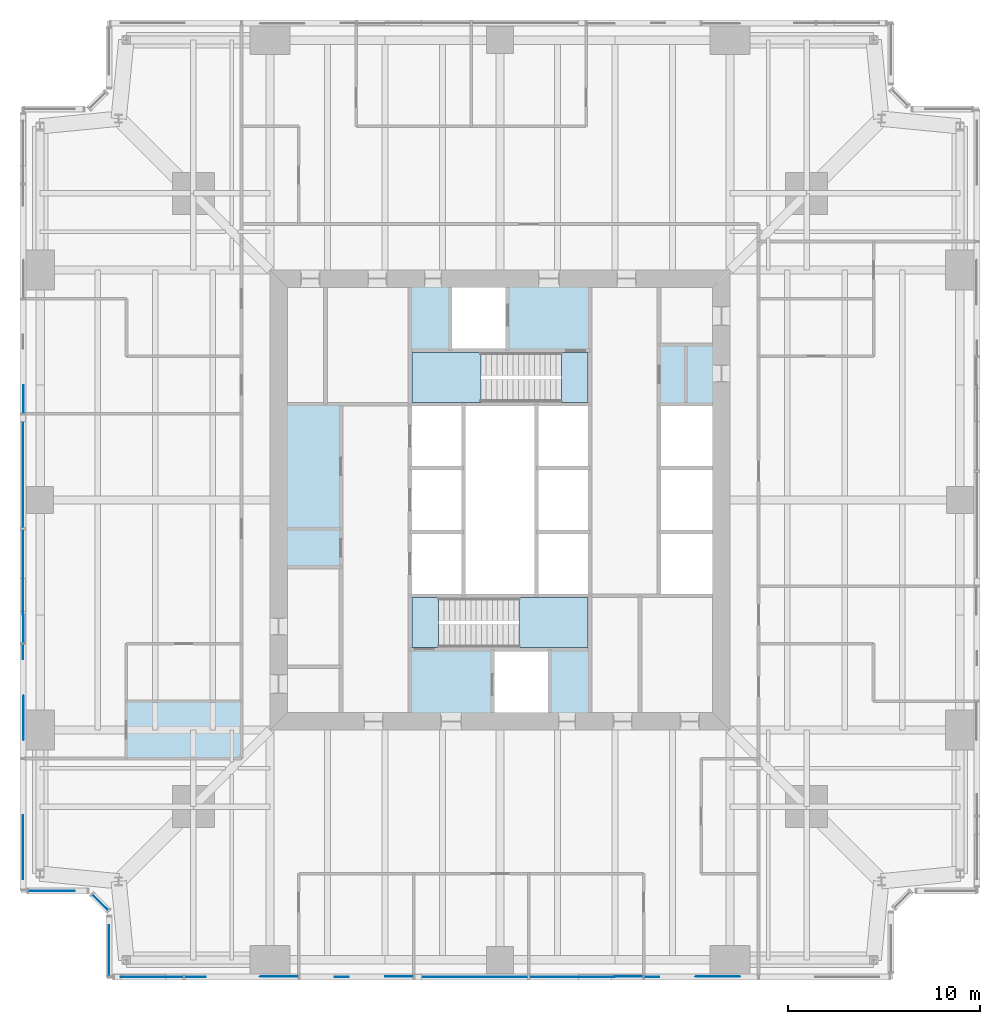
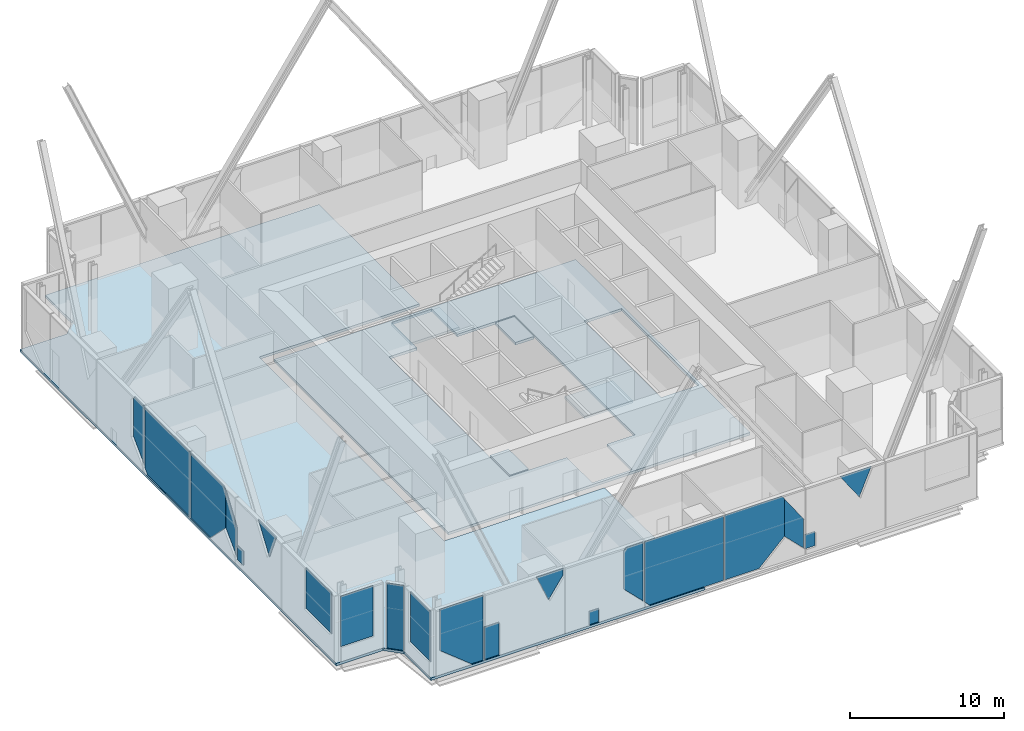
# One storey, part 6 of 13: 20 plates, 6 slabs, 7 elements without a shape of their own.
"""IFC4 building model written with IfcOpenShell, lengths in metres."""

from ifc_helpers import new_model, si_unit, direction, frame, origin, origin_2d, place, context, subcontext, project, spatial, polyline, rectangle, outline, extrude, material, layer, layer_set, type_object, element, aggregate, save


model = new_model("IFC4")

# Units and contexts
model_context = context("Model", 3, precision=1e-05, world=origin(), true_north=direction((0.0, 1.0)))
body_context = subcontext(model_context, "Body", "Model", "MODEL_VIEW")
ifc_project = project(units=[si_unit("LENGTHUNIT", "METRE"), si_unit("AREAUNIT", "SQUARE_METRE"), si_unit("VOLUMEUNIT", "CUBIC_METRE"), si_unit("PLANEANGLEUNIT", "RADIAN"), si_unit("MASSUNIT", "GRAM", prefix="KILO")], contexts=[model_context])

# Site, building, storey
site_placement = place(None, origin())
site = spatial("IfcSite", under=ifc_project, at=site_placement, CompositionType="ELEMENT")
building_placement = place(site_placement, origin())
building = spatial("IfcBuilding", under=site, at=building_placement, Name="Fenwick Lantern Interchange", CompositionType="ELEMENT")
storey_placement = place(building_placement, frame((0.0, 0.0, 97.0)))
storey = spatial("IfcBuildingStorey", under=building, at=storey_placement, Name="L22", CompositionType="ELEMENT", Elevation=97.0)

# Slabs
ifc_material_1 = material(Name="Concrete f'c 35 MPa", Category="concrete")
ifc_layer_1 = layer(ifc_material_1, 0.199951171875)
ifc_layer_set_1 = layer_set([ifc_layer_1], Name="CORE FLOOR SLAB 200")
slab_type_1 = type_object("IfcSlabType", Name="CORE FLOOR SLAB 200", PredefinedType="FLOOR", material=ifc_layer_set_1)
slab_1_placement = place(storey_placement, frame((0.0, 0.0, -0.199951171875)))
element("IfcSlab", 1, at=slab_1_placement, inside=storey, type_object=slab_type_1, Name="L22/SLAB/CORE", PredefinedType="FLOOR", context=body_context, shape_type="SweptSolid", body=[
    extrude(outline(polyline([(13.699951171875, 36.300048828125), (36.300048828125, 36.300048828125), (36.300048828125, 13.699951171875), (13.699951171875, 13.699951171875), (13.699951171875, 36.300048828125)]), holes=[polyline([(29.699951171875, 17.199951171875), (29.699951171875, 20.0), (29.699951171875, 23.333251953125), (29.699951171875, 26.666748046875), (29.699951171875, 30.0), (29.699951171875, 32.800048828125), (25.39990234375, 32.800048828125), (25.39990234375, 36.10009765625), (22.39990234375, 36.10009765625), (22.39990234375, 32.800048828125), (20.300048828125, 32.800048828125), (20.300048828125, 30.0), (20.300048828125, 26.666748046875), (20.300048828125, 23.333251953125), (20.300048828125, 20.0), (20.300048828125, 17.199951171875), (24.60009765625, 17.199951171875), (24.60009765625, 13.89990234375), (27.60009765625, 13.89990234375), (27.60009765625, 17.199951171875), (29.699951171875, 17.199951171875)]), polyline([(33.300048828125, 23.333251953125), (33.300048828125, 20.0), (36.10009765625, 20.0), (36.10009765625, 23.333251953125), (36.10009765625, 26.666748046875), (36.10009765625, 30.0), (33.300048828125, 30.0), (33.300048828125, 26.666748046875), (33.300048828125, 23.333251953125)])]), origin(), (0.0, 0.0, 1.0), 0.199951171875),
])
ifc_material_2 = material(Name="Concrete f'c 35 MPa", Category="concrete")
ifc_layer_2 = layer(ifc_material_2, 0.199951171875)
ifc_layer_set_2 = layer_set([ifc_layer_2], Name="Concrete f'c 35 MPa")
slab_type_2 = type_object("IfcSlabType", Name="FLOOR SLAB 200", PredefinedType="FLOOR", material=ifc_layer_set_2)
slab_2_placement = place(storey_placement, frame((0.0, 0.0, -0.199951171875)))
element("IfcSlab", 2, at=slab_2_placement, inside=storey, type_object=slab_type_2, Name="L22/SLAB/FW", PredefinedType="FLOOR", context=body_context, shape_type="SweptSolid", body=[
    extrude(outline(polyline([(4.5, 0.0), (4.5, 3.5), (3.5, 4.5), (0.0, 4.5), (0.0, 45.5), (3.5, 45.5), (4.5, 46.5), (4.5, 50.0), (25.0, 50.0), (25.0, 37.0), (13.0, 37.0), (13.0, 13.0), (25.0, 13.0), (25.0, 0.0), (4.5, 0.0)])), origin(), (0.0, 0.0, 1.0), 0.199951171875),
])

# Curtain wall, plates
ifc_material_3 = material(Name="Aluminium curtain wall frame", Category="aluminium")
curtain_wall_type = type_object("IfcCurtainWallType", Name="SKY LOBBY GLAZING", PredefinedType="USERDEFINED", material=ifc_material_3)
curtain_wall_1_placement = place(storey_placement, origin())
curtain_wall_1 = element("IfcCurtainWall", 3, at=curtain_wall_1_placement, inside=storey, type_object=curtain_wall_type, Name="Sky lobby glazing 01", ObjectType="SKY LOBBY GLAZING", PredefinedType="USERDEFINED")
ifc_material_4 = material(Name="Vision glass, clear laminated double glazed", Category="glass")
ifc_layer_3 = layer(ifc_material_4, 0.035888671875)
ifc_layer_set_3 = layer_set([ifc_layer_3], Name="SKY LOBBY GLAZING PANEL 36")
plate_type = type_object("IfcPlateType", Name="SKY LOBBY GLAZING PANEL 36", PredefinedType="CURTAIN_PANEL", material=ifc_layer_set_3)
plate_1_placement = place(storey_placement, frame((4.60009765625, 0.10009765625, 0.0), z_axis=(0.0, 0.0, 1.0), x_axis=(1.0, 0.0, 0.0)))
plate_1 = element("IfcPlate", 4, at=plate_1_placement, type_object=plate_type, Name="L22/CW/01/P00a", PredefinedType="CURTAIN_PANEL", context=body_context, shape_type="SweptSolid", body=[
    extrude(outline(polyline([(2.968994140625, 0.0), (3.860107421875, 0.0), (3.860107421875, 5.1298828125), (0.618896484375, 5.1298828125), (0.618896484375, 1.880126953125), (2.968994140625, 0.0)])), frame((0.0, 0.01806640625, 0.0), z_axis=(0.0, -1.0, 0.0), x_axis=(1.0, 0.0, 0.0)), (0.0, 0.0, 1.0), 0.035888671875),
])
plate_2_placement = place(storey_placement, frame((4.60009765625, 0.10009765625, 0.0), z_axis=(0.0, 0.0, 1.0), x_axis=(1.0, 0.0, 0.0)))
plate_2 = element("IfcPlate", 5, at=plate_2_placement, type_object=plate_type, Name="L22/CW/01/P01a", PredefinedType="CURTAIN_PANEL", context=body_context, shape_type="SweptSolid", body=[
    extrude(outline(polyline([(3.93994140625, 0.0), (5.0400390625, 0.0), (5.0400390625, 2.571533203125), (3.93994140625, 2.571533203125), (3.93994140625, 0.0)])), frame((0.0, 0.01806640625, 0.0), z_axis=(0.0, -1.0, 0.0), x_axis=(1.0, 0.0, 0.0)), (0.0, 0.0, 1.0), 0.035888671875),
])
plate_3_placement = place(storey_placement, frame((4.60009765625, 0.10009765625, 3.017822265625), z_axis=(0.0, 0.0, 1.0), x_axis=(1.0, 0.0, 0.0)))
plate_3 = element("IfcPlate", 6, at=plate_3_placement, type_object=plate_type, Name="L22/CW/01/P01b", PredefinedType="CURTAIN_PANEL", context=body_context, shape_type="SweptSolid", body=[
    extrude(outline(polyline([(8.765625, 0.0), (9.860107421875, 1.594970703125), (9.860107421875, 2.112060546875), (7.85986328125, 2.112060546875), (8.765625, 0.0)])), frame((0.0, 0.05615234375, 0.0), z_axis=(0.0, -1.0, 0.0), x_axis=(1.0, 0.0, 0.0)), (0.0, 0.0, 1.0), 0.035888671875),
])
plate_4_placement = place(storey_placement, frame((4.60009765625, 0.10009765625, 0.0), z_axis=(0.0, 0.0, 1.0), x_axis=(1.0, 0.0, 0.0)))
plate_4 = element("IfcPlate", 7, at=plate_4_placement, type_object=plate_type, Name="L22/CW/01/P02a", PredefinedType="CURTAIN_PANEL", context=body_context, shape_type="SweptSolid", body=[
    extrude(outline(polyline([(11.781005859375, 0.0), (12.5009765625, 0.0), (12.5009765625, 1.049560546875), (11.781005859375, 1.049560546875), (11.781005859375, 0.0)])), frame((0.0, 0.01806640625, 0.0), z_axis=(0.0, -1.0, 0.0), x_axis=(1.0, 0.0, 0.0)), (0.0, 0.0, 1.0), 0.035888671875),
])
plate_5_placement = place(storey_placement, frame((4.60009765625, 0.10009765625, 0.435546875), z_axis=(0.0, 0.0, 1.0), x_axis=(1.0, 0.0, 0.0)))
plate_5 = element("IfcPlate", 8, at=plate_5_placement, type_object=plate_type, Name="L22/CW/01/P02b", PredefinedType="CURTAIN_PANEL", context=body_context, shape_type="SweptSolid", body=[
    extrude(outline(polyline([(15.860107421875, 0.0), (15.860107421875, 4.6943359375), (14.58056640625, 4.6943359375), (14.39990234375, 4.43115234375), (14.39990234375, 1.4599609375), (15.860107421875, 0.0)])), frame((0.0, 0.05615234375, 0.0), z_axis=(0.0, -1.0, 0.0), x_axis=(1.0, 0.0, 0.0)), (0.0, 0.0, 1.0), 0.035888671875),
])
plate_6_placement = place(storey_placement, frame((4.60009765625, 0.10009765625, 0.0), z_axis=(0.0, 0.0, 1.0), x_axis=(1.0, 0.0, 0.0)))
plate_6 = element("IfcPlate", 9, at=plate_6_placement, type_object=plate_type, Name="L22/CW/01/P03a", PredefinedType="CURTAIN_PANEL", context=body_context, shape_type="SweptSolid", body=[
    extrude(outline(polyline([(16.295654296875, 0.0), (21.860107421875, 0.0), (21.860107421875, 5.1298828125), (15.93994140625, 5.1298828125), (15.93994140625, 0.35546875), (16.295654296875, 0.0)])), frame((0.0, 0.01806640625, 0.0), z_axis=(0.0, -1.0, 0.0), x_axis=(1.0, 0.0, 0.0)), (0.0, 0.0, 1.0), 0.035888671875),
])
plate_7_placement = place(storey_placement, frame((4.60009765625, 0.10009765625, 0.0), z_axis=(0.0, 0.0, 1.0), x_axis=(1.0, 0.0, 0.0)))
plate_7 = element("IfcPlate", 10, at=plate_7_placement, type_object=plate_type, Name="L22/CW/01/P04a", PredefinedType="CURTAIN_PANEL", context=body_context, shape_type="SweptSolid", body=[
    extrude(outline(polyline([(21.93994140625, 0.0), (24.50439453125, 0.0), (26.39990234375, 1.8955078125), (26.39990234375, 4.86669921875), (26.219482421875, 5.1298828125), (21.93994140625, 5.1298828125), (21.93994140625, 0.0)])), frame((0.0, 0.01806640625, 0.0), z_axis=(0.0, -1.0, 0.0), x_axis=(1.0, 0.0, 0.0)), (0.0, 0.0, 1.0), 0.035888671875),
])
plate_8_placement = place(storey_placement, frame((4.60009765625, 0.10009765625, 0.435546875), z_axis=(0.0, 0.0, 1.0), x_axis=(1.0, 0.0, 0.0)))
plate_8 = element("IfcPlate", 11, at=plate_8_placement, type_object=plate_type, Name="L22/CW/01/P04b", PredefinedType="CURTAIN_PANEL", context=body_context, shape_type="SweptSolid", body=[
    extrude(outline(polyline([(27.860107421875, 0.0), (27.860107421875, 2.30322265625), (26.39990234375, 4.43115234375), (26.39990234375, 1.4599609375), (27.860107421875, 0.0)])), frame((0.0, 0.05615234375, 0.0), z_axis=(0.0, -1.0, 0.0), x_axis=(1.0, 0.0, 0.0)), (0.0, 0.0, 1.0), 0.035888671875),
])
plate_9_placement = place(storey_placement, frame((4.60009765625, 0.10009765625, 0.35546875), z_axis=(0.0, 0.0, 1.0), x_axis=(1.0, 0.0, 0.0)))
plate_9 = element("IfcPlate", 12, at=plate_9_placement, type_object=plate_type, Name="L22/CW/01/P05a", PredefinedType="CURTAIN_PANEL", context=body_context, shape_type="SweptSolid", body=[
    extrude(outline(polyline([(27.93994140625, 0.0), (28.715087890625, 0.0), (28.715087890625, 1.136962890625), (27.93994140625, 1.136962890625), (27.93994140625, 0.0)])), frame((0.0, 0.01806640625, 0.0), z_axis=(0.0, -1.0, 0.0), x_axis=(1.0, 0.0, 0.0)), (0.0, 0.0, 1.0), 0.035888671875),
])
plate_10_placement = place(storey_placement, frame((4.60009765625, 0.10009765625, 3.017822265625), z_axis=(0.0, 0.0, 1.0), x_axis=(1.0, 0.0, 0.0)))
plate_10 = element("IfcPlate", 13, at=plate_10_placement, type_object=plate_type, Name="L22/CW/01/P05b", PredefinedType="CURTAIN_PANEL", context=body_context, shape_type="SweptSolid", body=[
    extrude(outline(polyline([(32.034423828125, 0.0), (32.940185546875, 2.112060546875), (30.585205078125, 2.112060546875), (32.034423828125, 0.0)])), frame((0.0, 0.05615234375, 0.0), z_axis=(0.0, -1.0, 0.0), x_axis=(1.0, 0.0, 0.0)), (0.0, 0.0, 1.0), 0.035888671875),
])
aggregate(curtain_wall_1, [plate_1, plate_2, plate_3, plate_4, plate_5, plate_6, plate_7, plate_8, plate_9, plate_10])

curtain_wall_2_placement = place(storey_placement, origin())
curtain_wall_2 = element("IfcCurtainWall", 14, at=curtain_wall_2_placement, inside=storey, type_object=curtain_wall_type, Name="Sky lobby glazing 13", ObjectType="SKY LOBBY GLAZING", PredefinedType="USERDEFINED")
plate_11_placement = place(storey_placement, frame((0.10009765625, 45.39990234375, 0.435546875), z_axis=(0.0, 0.0, 1.0), x_axis=(0.0, -1.0, 0.0)))
plate_11 = element("IfcPlate", 15, at=plate_11_placement, type_object=plate_type, Name="L22/CW/13/P02b", PredefinedType="CURTAIN_PANEL", context=body_context, shape_type="SweptSolid", body=[
    extrude(outline(polyline([(15.860107421875, 0.0), (15.860107421875, 4.6943359375), (14.58056640625, 4.6943359375), (14.39990234375, 4.43115234375), (14.39990234375, 1.4599609375), (15.860107421875, 0.0)])), frame((0.0, 0.05615234375, 0.0), z_axis=(0.0, -1.0, 0.0), x_axis=(1.0, 0.0, 0.0)), (0.0, 0.0, 1.0), 0.035888671875),
])
plate_12_placement = place(storey_placement, frame((0.10009765625, 45.39990234375, 0.0), z_axis=(0.0, 0.0, 1.0), x_axis=(0.0, -1.0, 0.0)))
plate_12 = element("IfcPlate", 16, at=plate_12_placement, type_object=plate_type, Name="L22/CW/13/P03a", PredefinedType="CURTAIN_PANEL", context=body_context, shape_type="SweptSolid", body=[
    extrude(outline(polyline([(16.295654296875, 0.0), (21.860107421875, 0.0), (21.860107421875, 5.1298828125), (15.93994140625, 5.1298828125), (15.93994140625, 0.35546875), (16.295654296875, 0.0)])), frame((0.0, 0.01806640625, 0.0), z_axis=(0.0, -1.0, 0.0), x_axis=(1.0, 0.0, 0.0)), (0.0, 0.0, 1.0), 0.035888671875),
])
plate_13_placement = place(storey_placement, frame((0.10009765625, 45.39990234375, 0.0), z_axis=(0.0, 0.0, 1.0), x_axis=(0.0, -1.0, 0.0)))
plate_13 = element("IfcPlate", 17, at=plate_13_placement, type_object=plate_type, Name="L22/CW/13/P04a", PredefinedType="CURTAIN_PANEL", context=body_context, shape_type="SweptSolid", body=[
    extrude(outline(polyline([(21.93994140625, 0.0), (24.50439453125, 0.0), (26.39990234375, 1.8955078125), (26.39990234375, 4.86669921875), (26.219482421875, 5.1298828125), (21.93994140625, 5.1298828125), (21.93994140625, 0.0)])), frame((0.0, 0.01806640625, 0.0), z_axis=(0.0, -1.0, 0.0), x_axis=(1.0, 0.0, 0.0)), (0.0, 0.0, 1.0), 0.035888671875),
])
plate_14_placement = place(storey_placement, frame((0.10009765625, 45.39990234375, 0.435546875), z_axis=(0.0, 0.0, 1.0), x_axis=(0.0, -1.0, 0.0)))
plate_14 = element("IfcPlate", 18, at=plate_14_placement, type_object=plate_type, Name="L22/CW/13/P04b", PredefinedType="CURTAIN_PANEL", context=body_context, shape_type="SweptSolid", body=[
    extrude(outline(polyline([(27.860107421875, 0.0), (27.860107421875, 2.30322265625), (26.39990234375, 4.43115234375), (26.39990234375, 1.4599609375), (27.860107421875, 0.0)])), frame((0.0, 0.05615234375, 0.0), z_axis=(0.0, -1.0, 0.0), x_axis=(1.0, 0.0, 0.0)), (0.0, 0.0, 1.0), 0.035888671875),
])
plate_15_placement = place(storey_placement, frame((0.10009765625, 45.39990234375, 0.35546875), z_axis=(0.0, 0.0, 1.0), x_axis=(0.0, -1.0, 0.0)))
plate_15 = element("IfcPlate", 19, at=plate_15_placement, type_object=plate_type, Name="L22/CW/13/P05a", PredefinedType="CURTAIN_PANEL", context=body_context, shape_type="SweptSolid", body=[
    extrude(outline(polyline([(27.93994140625, 0.0), (28.715087890625, 0.0), (28.715087890625, 1.136962890625), (27.93994140625, 1.136962890625), (27.93994140625, 0.0)])), frame((0.0, 0.01806640625, 0.0), z_axis=(0.0, -1.0, 0.0), x_axis=(1.0, 0.0, 0.0)), (0.0, 0.0, 1.0), 0.035888671875),
])
plate_16_placement = place(storey_placement, frame((0.10009765625, 45.39990234375, 3.017822265625), z_axis=(0.0, 0.0, 1.0), x_axis=(0.0, -1.0, 0.0)))
plate_16 = element("IfcPlate", 20, at=plate_16_placement, type_object=plate_type, Name="L22/CW/13/P05b", PredefinedType="CURTAIN_PANEL", context=body_context, shape_type="SweptSolid", body=[
    extrude(outline(polyline([(32.034423828125, 0.0), (32.940185546875, 2.112060546875), (30.585205078125, 2.112060546875), (32.034423828125, 0.0)])), frame((0.0, 0.05615234375, 0.0), z_axis=(0.0, -1.0, 0.0), x_axis=(1.0, 0.0, 0.0)), (0.0, 0.0, 1.0), 0.035888671875),
])
plate_17_placement = place(storey_placement, frame((0.10009765625, 45.39990234375, 1.880126953125), z_axis=(0.0, 0.0, 1.0), x_axis=(0.0, -1.0, 0.0)))
plate_17 = element("IfcPlate", 21, at=plate_17_placement, type_object=plate_type, Name="L22/CW/13/P06a", PredefinedType="CURTAIN_PANEL", context=body_context, shape_type="SweptSolid", body=[
    extrude(outline(polyline([(36.857421875, 0.0), (40.18115234375, 0.0), (40.18115234375, 3.249755859375), (36.857421875, 3.249755859375), (36.857421875, 0.0)])), frame((0.0, 0.01806640625, 0.0), z_axis=(0.0, -1.0, 0.0), x_axis=(1.0, 0.0, 0.0)), (0.0, 0.0, 1.0), 0.035888671875),
])
aggregate(curtain_wall_2, [plate_11, plate_12, plate_13, plate_14, plate_15, plate_16, plate_17])

# Curtain wall, plate
curtain_wall_3_placement = place(storey_placement, origin())
curtain_wall_3 = element("IfcCurtainWall", 22, at=curtain_wall_3_placement, inside=storey, type_object=curtain_wall_type, Name="Sky lobby glazing 14", ObjectType="SKY LOBBY GLAZING", PredefinedType="USERDEFINED")
plate_18_placement = place(storey_placement, frame((0.10009765625, 4.60009765625, 1.14990234375), z_axis=(0.0, 0.0, 1.0), x_axis=(1.0, 0.0, 0.0)))
plate_18 = element("IfcPlate", 23, at=plate_18_placement, type_object=plate_type, Name="L22/CW/14/P00a", PredefinedType="CURTAIN_PANEL", context=body_context, shape_type="SweptSolid", body=[
    extrude(outline(polyline([(0.280029296875, 0.0), (2.699951171875, 0.0), (2.699951171875, 3.97998046875), (0.280029296875, 3.97998046875), (0.280029296875, 0.0)])), frame((0.0, 0.01806640625, 0.0), z_axis=(0.0, -1.0, 0.0), x_axis=(1.0, 0.0, 0.0)), (0.0, 0.0, 1.0), 0.035888671875),
])
aggregate(curtain_wall_3, [plate_18])

curtain_wall_4_placement = place(storey_placement, origin())
curtain_wall_4 = element("IfcCurtainWall", 24, at=curtain_wall_4_placement, inside=storey, type_object=curtain_wall_type, Name="Sky lobby glazing 15", ObjectType="SKY LOBBY GLAZING", PredefinedType="USERDEFINED")
plate_19_placement = place(storey_placement, frame((4.141357421875, 4.0, 0.0), z_axis=(0.0, 0.0, 1.0), x_axis=(0.707106781187, -0.707106781187, 0.0)))
plate_19 = element("IfcPlate", 25, at=plate_19_placement, type_object=plate_type, Name="L22/CW/15/P00", PredefinedType="CURTAIN_PANEL", context=body_context, shape_type="SweptSolid", body=[
    extrude(rectangle(XDim=1.136962890625, YDim=0.035888671875, at=origin_2d()), origin(), (0.0, 0.0, 1.0), 5.1298828125),
])
aggregate(curtain_wall_4, [plate_19])

curtain_wall_5_placement = place(storey_placement, origin())
curtain_wall_5 = element("IfcCurtainWall", 26, at=curtain_wall_5_placement, inside=storey, type_object=curtain_wall_type, Name="Sky lobby glazing 16", ObjectType="SKY LOBBY GLAZING", PredefinedType="USERDEFINED")
plate_20_placement = place(storey_placement, frame((4.60009765625, 3.54150390625, 1.14990234375), z_axis=(0.0, 0.0, 1.0), x_axis=(0.0, -1.0, 0.0)))
plate_20 = element("IfcPlate", 27, at=plate_20_placement, type_object=plate_type, Name="L22/CW/16/P00a", PredefinedType="CURTAIN_PANEL", context=body_context, shape_type="SweptSolid", body=[
    extrude(outline(polyline([(0.741455078125, 0.0), (3.361328125, 0.0), (3.361328125, 3.97998046875), (0.741455078125, 3.97998046875), (0.741455078125, 0.0)])), frame((0.0, 0.01806640625, 0.0), z_axis=(0.0, -1.0, 0.0), x_axis=(1.0, 0.0, 0.0)), (0.0, 0.0, 1.0), 0.035888671875),
])
aggregate(curtain_wall_5, [plate_20])

# Stair, slabs
ifc_material_5 = material(Name="Precast concrete f'c 35 MPa", Category="concrete")
stair_type = type_object("IfcStairType", Name="EXIT STAIR 1200", PredefinedType="HALF_TURN_STAIR", material=ifc_material_5)
stair_1_placement = place(storey_placement, origin())
stair_1 = element("IfcStair", 28, at=stair_1_placement, inside=storey, type_object=stair_type, Name="Exit stair ST1", PredefinedType="HALF_TURN_STAIR")
ifc_layer_4 = layer(ifc_material_1, 0.199951171875)
ifc_layer_set_4 = layer_set([ifc_layer_4], Name="STAIR LANDING 200")
slab_type_3 = type_object("IfcSlabType", Name="STAIR LANDING 200", PredefinedType="LANDING", material=ifc_layer_set_4)
slab_3_placement = place(storey_placement, frame((0.0, 0.0, 2.5)))
slab_3 = element("IfcSlab", 29, at=slab_3_placement, type_object=slab_type_3, Name="ST1 landing 1", PredefinedType="LANDING", context=body_context, shape_type="SweptSolid", body=[
    extrude(outline(polyline([(26.0, 17.300048828125), (29.60009765625, 17.300048828125), (29.60009765625, 19.89990234375), (26.0, 19.89990234375), (26.0, 17.300048828125)])), origin(), (0.0, 0.0, 1.0), 0.199951171875),
])
slab_4_placement = place(storey_placement, frame((0.0, 0.0, -0.199951171875)))
slab_4 = element("IfcSlab", 30, at=slab_4_placement, type_object=slab_type_3, Name="ST1 landing 2", PredefinedType="LANDING", context=body_context, shape_type="SweptSolid", body=[
    extrude(outline(polyline([(20.39990234375, 17.300048828125), (21.800048828125, 17.300048828125), (21.800048828125, 19.89990234375), (20.39990234375, 19.89990234375), (20.39990234375, 17.300048828125)])), origin(), (0.0, 0.0, 1.0), 0.199951171875),
])
aggregate(stair_1, [slab_3, slab_4])

stair_2_placement = place(storey_placement, origin())
stair_2 = element("IfcStair", 31, at=stair_2_placement, inside=storey, type_object=stair_type, Name="Exit stair ST2", PredefinedType="HALF_TURN_STAIR")
slab_5_placement = place(storey_placement, frame((0.0, 0.0, 2.5)))
slab_5 = element("IfcSlab", 32, at=slab_5_placement, type_object=slab_type_3, Name="ST2 landing 1", PredefinedType="LANDING", context=body_context, shape_type="SweptSolid", body=[
    extrude(outline(polyline([(24.0, 32.699951171875), (20.39990234375, 32.699951171875), (20.39990234375, 30.10009765625), (24.0, 30.10009765625), (24.0, 32.699951171875)])), origin(), (0.0, 0.0, 1.0), 0.199951171875),
])
slab_6_placement = place(storey_placement, frame((0.0, 0.0, -0.199951171875)))
slab_6 = element("IfcSlab", 33, at=slab_6_placement, type_object=slab_type_3, Name="ST2 landing 2", PredefinedType="LANDING", context=body_context, shape_type="SweptSolid", body=[
    extrude(outline(polyline([(29.60009765625, 32.699951171875), (28.199951171875, 32.699951171875), (28.199951171875, 30.10009765625), (29.60009765625, 30.10009765625), (29.60009765625, 32.699951171875)])), origin(), (0.0, 0.0, 1.0), 0.199951171875),
])
aggregate(stair_2, [slab_5, slab_6])

save(model, "model.ifc")
